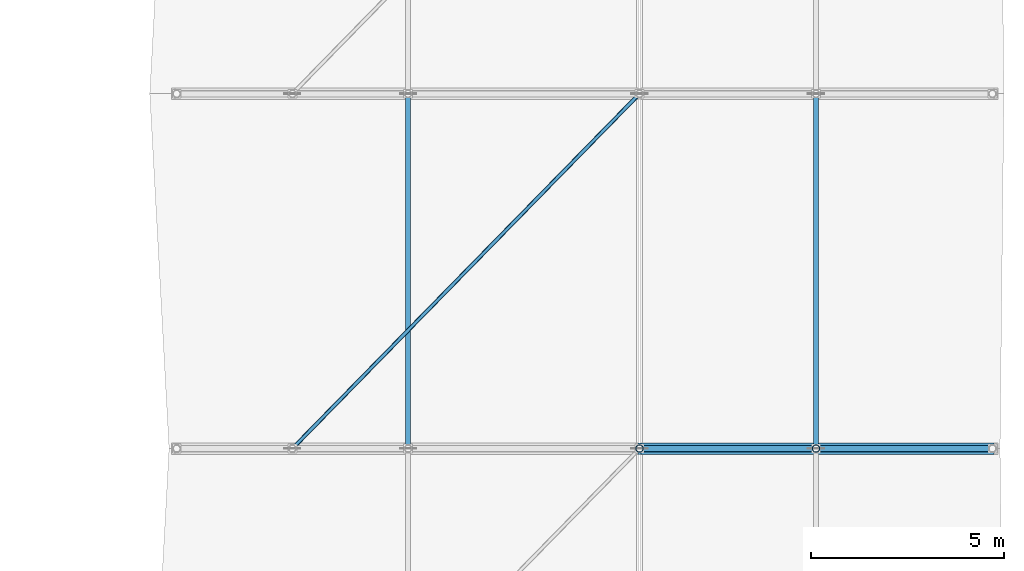
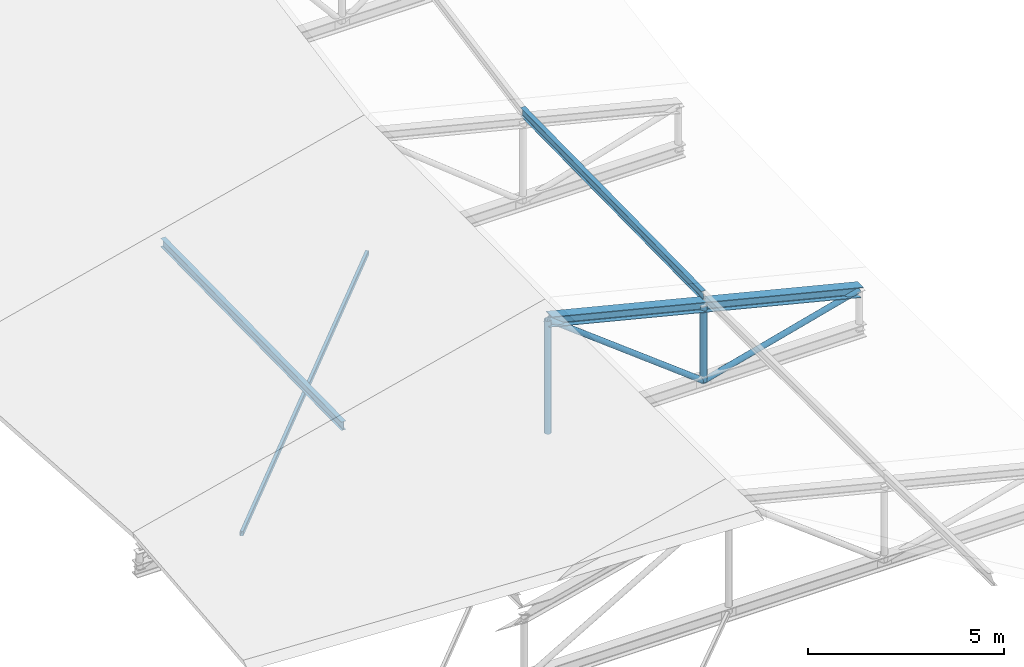
# One storey, part 14 of 33: 8 members.
"""IFC4 building model written with IfcOpenShell, lengths in metres."""

from ifc_helpers import new_model, si_unit, direction, frame, origin, origin_2d, place, context, subcontext, project, spatial, hollow_rectangle, hollow_circle, i_section, extrude, material, material_profile, profile_set, type_object, element, save


model = new_model("IFC4")

# Units and contexts
model_context = context("Model", 3, precision=1e-05, world=origin(), true_north=direction((0.0, 1.0)))
body_context = subcontext(model_context, "Body", "Model", "MODEL_VIEW")
ifc_project = project(units=[si_unit("LENGTHUNIT", "METRE"), si_unit("AREAUNIT", "SQUARE_METRE"), si_unit("VOLUMEUNIT", "CUBIC_METRE"), si_unit("PLANEANGLEUNIT", "RADIAN"), si_unit("MASSUNIT", "GRAM", prefix="KILO")], contexts=[model_context])

# Site, building, storey
site_placement = place(None, origin())
site = spatial("IfcSite", under=ifc_project, at=site_placement, CompositionType="ELEMENT")
building_placement = place(site_placement, origin())
building = spatial("IfcBuilding", under=site, at=building_placement, Name="Bozkorgan Art Gallery", CompositionType="ELEMENT")
storey_placement = place(building_placement, frame((0.0, 0.0, 19.5)))
storey = spatial("IfcBuildingStorey", under=building, at=storey_placement, Name="L04", CompositionType="ELEMENT", Elevation=19.5)

# Members
ifc_material = material(Name="Steel S355J2", Category="steel")
ifc_material_profile_1 = material_profile(ifc_material, i_section(OverallWidth=0.135009765625, OverallDepth=0.27001953125, WebThickness=0.006591796875, FlangeThickness=0.01025390625, FilletRadius=0.014892578125, at=origin_2d()), Name="IPE 270")
ifc_profile_set_1 = profile_set([ifc_material_profile_1], Name="Steel S355J2")
member_type_1 = type_object("IfcMemberType", Name="MEMBER-PR-57", PredefinedType="PURLIN", material=ifc_profile_set_1)
for number, where, z_axis, x_axis, name in (
    (1, (149.0, 29.199951171875, 2.502197265625), (0.0, 0.999886420033, 0.015071397887), (-1.0, 0.0, 0.0), "ROOF-V6-MAIN roof purlin 4W"),
    (2, (159.574951171875, 29.199951171875, 2.857421875), (0.0, 0.999886420033, 0.015071397887), (-1.0, 0.0, 0.0), "ROOF-V6-MAIN roof purlin 4E"),
):
    element("IfcMember", number, at=place(storey_placement, frame(where, z_axis=z_axis, x_axis=x_axis)), inside=storey, type_object=member_type_1, Name=name, PredefinedType="PURLIN", context=body_context, shape_type="SweptSolid", body=[
        extrude(i_section(OverallWidth=0.135009765625, OverallDepth=0.27001953125, WebThickness=0.006591796875, FlangeThickness=0.01025390625, FilletRadius=0.014892578125, at=origin_2d()), origin(), (0.0, 0.0, 1.0), 9.200927734375),
    ])
ifc_material_profile_2 = material_profile(ifc_material, i_section(OverallWidth=0.300048828125, OverallDepth=0.31005859375, WebThickness=0.009033203125, FlangeThickness=0.015380859375, FilletRadius=0.027099609375, at=origin_2d()), Name="HEA 320")
ifc_profile_set_2 = profile_set([ifc_material_profile_2], Name="Steel S355J2")
member_type_2 = type_object("IfcMemberType", Name="MEMBER-TC-13", PredefinedType="CHORD", material=ifc_profile_set_2)
member_1_placement = place(storey_placement, frame((155.0, 29.199951171875, 3.7080078125), z_axis=(0.970297639918, 0.0, -0.241914220273), x_axis=(0.0, 1.0, 0.0)))
element("IfcMember", 3, at=member_1_placement, inside=storey, type_object=member_type_2, Name="ROOF-V6-MAIN roof truss 4 east top chord", PredefinedType="CHORD", context=body_context, shape_type="SweptSolid", body=[
    extrude(i_section(OverallWidth=0.300048828125, OverallDepth=0.31005859375, WebThickness=0.009033203125, FlangeThickness=0.015380859375, FilletRadius=0.027099609375, at=origin_2d()), origin(), (0.0, 0.0, 1.0), 9.429931640625),
])
ifc_material_profile_3 = material_profile(ifc_material, hollow_circle(Radius=0.096923828125, WallThickness=0.008056640625, at=origin_2d()), Name="CHS 193.7x8")
ifc_profile_set_3 = profile_set([ifc_material_profile_3], Name="Steel S355J2")
member_type_3 = type_object("IfcMemberType", Name="MEMBER-TP-46", PredefinedType="POST", material=ifc_profile_set_3)
member_2_placement = place(storey_placement, frame((155.0, 29.199951171875, 0.199951171875), z_axis=(0.0, 0.0, 1.0), x_axis=(1.0, 0.0, 0.0)))
element("IfcMember", 4, at=member_2_placement, inside=storey, type_object=member_type_3, Name="ROOF-V6-MAIN roof truss 4 post 3", PredefinedType="POST", context=body_context, shape_type="SweptSolid", body=[
    extrude(hollow_circle(Radius=0.096923828125, WallThickness=0.008056640625, at=origin_2d()), origin(), (0.0, 0.0, 1.0), 3.508056640625),
])
member_3_placement = place(storey_placement, frame((159.574951171875, 29.199951171875, 0.199951171875), z_axis=(0.0, 0.0, 1.0), x_axis=(1.0, 0.0, 0.0)))
element("IfcMember", 5, at=member_3_placement, inside=storey, type_object=member_type_3, Name="ROOF-V6-MAIN roof truss 4 post 4", PredefinedType="POST", context=body_context, shape_type="SweptSolid", body=[
    extrude(hollow_circle(Radius=0.096923828125, WallThickness=0.008056640625, at=origin_2d()), origin(), (0.0, 0.0, 1.0), 2.367431640625),
])
ifc_material_profile_4 = material_profile(ifc_material, hollow_circle(Radius=0.084228515625, WallThickness=0.008056640625, at=origin_2d()), Name="CHS 168.3x8")
ifc_profile_set_4 = profile_set([ifc_material_profile_4], Name="Steel S355J2")
member_type_4 = type_object("IfcMemberType", Name="MEMBER-TW-40", PredefinedType="BRACE", material=ifc_profile_set_4)
member_4_placement = place(storey_placement, frame((155.0, 29.199951171875, 3.7080078125), z_axis=(0.793556602122, 0.0, -0.608496441426), x_axis=(0.0, 1.0, 0.0)))
element("IfcMember", 6, at=member_4_placement, inside=storey, type_object=member_type_4, Name="ROOF-V6-MAIN roof truss 4 diagonal 4", PredefinedType="BRACE", context=body_context, shape_type="SweptSolid", body=[
    extrude(hollow_circle(Radius=0.084228515625, WallThickness=0.008056640625, at=origin_2d()), origin(), (0.0, 0.0, 1.0), 5.76513671875),
])
member_5_placement = place(storey_placement, frame((159.574951171875, 29.199951171875, 0.199951171875), z_axis=(0.965875551998, 0.0, 0.259006598473), x_axis=(0.0, 1.0, 0.0)))
element("IfcMember", 7, at=member_5_placement, inside=storey, type_object=member_type_4, Name="ROOF-V6-MAIN roof truss 4 diagonal 5", PredefinedType="BRACE", context=body_context, shape_type="SweptSolid", body=[
    extrude(hollow_circle(Radius=0.084228515625, WallThickness=0.008056640625, at=origin_2d()), origin(), (0.0, 0.0, 1.0), 4.736572265625),
])
ifc_material_profile_5 = material_profile(ifc_material, hollow_rectangle(XDim=0.10009765625, YDim=0.14990234375, WallThickness=0.008056640625, InnerFilletRadius=0.011962890625, OuterFilletRadius=0.02001953125, at=origin_2d()), Name="RHS 150x100x8")
ifc_profile_set_5 = profile_set([ifc_material_profile_5], Name="Steel S355J2")
member_type_5 = type_object("IfcMemberType", Name="MEMBER-WB-10", PredefinedType="BRACE", material=ifc_profile_set_5)
member_6_placement = place(storey_placement, frame((146.0, 29.199951171875, 0.199951171875), z_axis=(0.699296051965, 0.714832170307, 0.0), x_axis=(-0.714832170307, 0.699296051965, 0.0)))
element("IfcMember", 8, at=member_6_placement, inside=storey, type_object=member_type_5, Name="ROOF-V6-MAIN roof diaphragm wind brace 4", PredefinedType="BRACE", context=body_context, shape_type="SweptSolid", body=[
    extrude(hollow_rectangle(XDim=0.10009765625, YDim=0.14990234375, WallThickness=0.008056640625, InnerFilletRadius=0.011962890625, OuterFilletRadius=0.02001953125, at=origin_2d()), origin(), (0.0, 0.0, 1.0), 12.8701171875),
])

save(model, "model.ifc")
